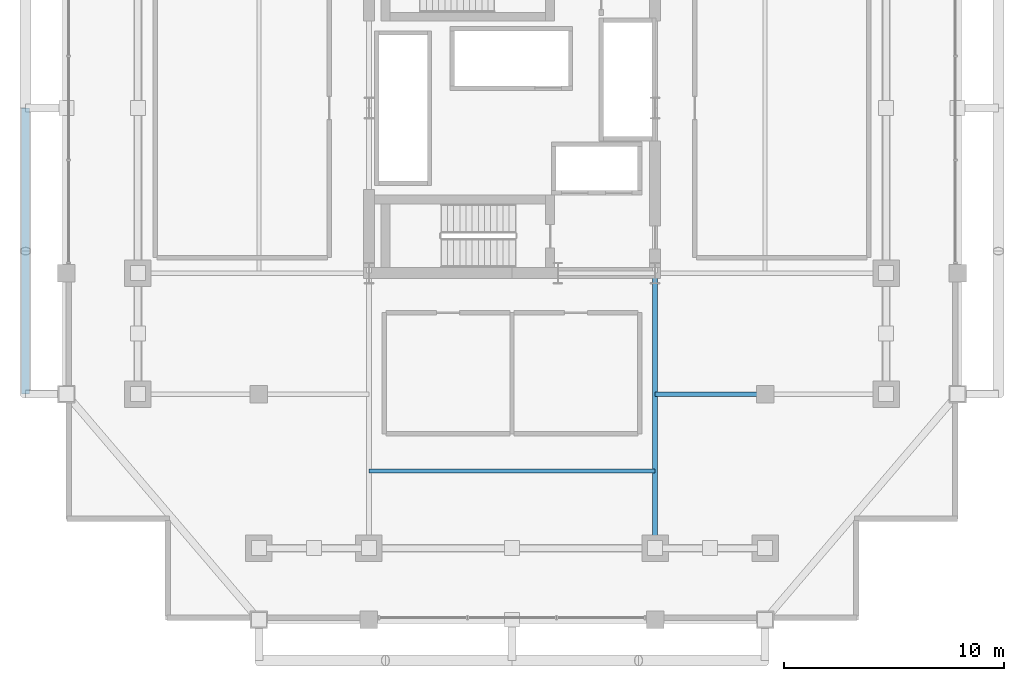
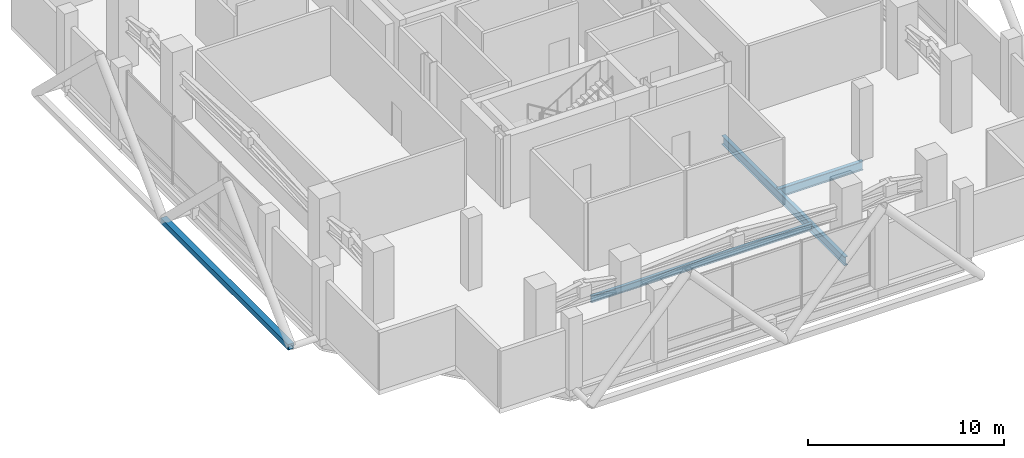
# One storey, part 4 of 22: 3 beams, 1 member.
"""IFC4 building model written with IfcOpenShell, lengths in metres."""

from ifc_helpers import new_model, si_unit, direction, frame, origin, origin_2d, place, context, subcontext, project, spatial, hollow_rectangle, i_section, extrude, material, material_profile, profile_set, type_object, element, save


model = new_model("IFC4")

# Units and contexts
model_context = context("Model", 3, precision=1e-05, world=origin(), true_north=direction((0.0, 1.0)))
body_context = subcontext(model_context, "Body", "Model", "MODEL_VIEW")
ifc_project = project(units=[si_unit("LENGTHUNIT", "METRE"), si_unit("AREAUNIT", "SQUARE_METRE"), si_unit("VOLUMEUNIT", "CUBIC_METRE"), si_unit("PLANEANGLEUNIT", "RADIAN"), si_unit("MASSUNIT", "GRAM", prefix="KILO")], contexts=[model_context])

# Site, building, storey
site_placement = place(None, origin())
site = spatial("IfcSite", under=ifc_project, at=site_placement, CompositionType="ELEMENT")
building_placement = place(site_placement, origin())
building = spatial("IfcBuilding", under=site, at=building_placement, Name="Barlavira Tower and Art Museum", CompositionType="ELEMENT")
storey_placement = place(building_placement, frame((0.0, 0.0, 120.60009765625)))
storey = spatial("IfcBuildingStorey", under=building, at=storey_placement, Name="L30", CompositionType="ELEMENT", Elevation=120.60009765625)

# Member
ifc_material = material(Name="Steel S355", Category="steel")
ifc_material_profile_1 = material_profile(ifc_material, hollow_rectangle(XDim=0.35009765625, YDim=0.35009765625, WallThickness=0.02001953125, at=origin_2d()), Name="SHS 350x350x20.0")
ifc_profile_set_1 = profile_set([ifc_material_profile_1], Name="Steel S355")
member_type = type_object("IfcMemberType", Name="Pale-Metal Exoskeleton Ring Strut SHS 350x350x20 Steel S355", PredefinedType="STRUT", material=ifc_profile_set_1)
member_placement = place(storey_placement, frame((-22.10009765625, -13.0, -0.1201171875), z_axis=(0.0, 1.0, 0.0), x_axis=(-1.0, 0.0, 0.0)))
element("IfcMember", 1, at=member_placement, inside=storey, type_object=member_type, Name="L30 Exoskeleton Ring Strut W", PredefinedType="STRUT", context=body_context, shape_type="SweptSolid", body=[
    extrude(hollow_rectangle(XDim=0.35009765625, YDim=0.35009765625, WallThickness=0.02001953125, at=origin_2d()), origin(), (0.0, 0.0, 1.0), 13.0),
])

# Beams
ifc_material_profile_2 = material_profile(ifc_material, i_section(OverallWidth=0.214111328125, OverallDepth=0.549072265625, WebThickness=0.0146484375, FlangeThickness=0.023681640625, at=origin_2d()), Name="W530x138.0")
ifc_profile_set_2 = profile_set([ifc_material_profile_2], Name="Steel S355")
beam_type_1 = type_object("IfcBeamType", Name="Zone 1 Primary Floor Girder W530x138 Steel S355", PredefinedType="BEAM", material=ifc_profile_set_2)
beam_1_placement = place(storey_placement, frame((6.5, -20.0, -0.57470703125), z_axis=(0.0, 1.0, 0.0), x_axis=(-1.0, 0.0, 0.0)))
element("IfcBeam", 2, at=beam_1_placement, inside=storey, type_object=beam_type_1, Name="L30 Girder R-S2", PredefinedType="BEAM", context=body_context, shape_type="SweptSolid", body=[
    extrude(i_section(OverallWidth=0.214111328125, OverallDepth=0.549072265625, WebThickness=0.0146484375, FlangeThickness=0.023681640625, at=origin_2d()), origin(), (0.0, 0.0, 1.0), 12.5),
])
beam_2_placement = place(storey_placement, frame((6.5, -13.0, -0.57470703125), z_axis=(1.0, 0.0, 0.0), x_axis=(0.0, 1.0, 0.0)))
element("IfcBeam", 3, at=beam_2_placement, inside=storey, type_object=beam_type_1, Name="L30 Girder I-S3", PredefinedType="BEAM", context=body_context, shape_type="SweptSolid", body=[
    extrude(i_section(OverallWidth=0.214111328125, OverallDepth=0.549072265625, WebThickness=0.0146484375, FlangeThickness=0.023681640625, at=origin_2d()), origin(), (0.0, 0.0, 1.0), 5.0),
])
ifc_material_profile_3 = material_profile(ifc_material, i_section(OverallWidth=0.179931640625, OverallDepth=0.4130859375, WebThickness=0.009765625, FlangeThickness=0.01611328125, at=origin_2d()), Name="W410x75.0")
ifc_profile_set_3 = profile_set([ifc_material_profile_3], Name="Steel S355")
beam_type_2 = type_object("IfcBeamType", Name="Zone 2 Composite Floor Joist W410x75 Steel S355", PredefinedType="JOIST", material=ifc_profile_set_3)
beam_3_placement = place(storey_placement, frame((-6.5, -16.5, -0.506591796875), z_axis=(1.0, 0.0, 0.0), x_axis=(0.0, 1.0, 0.0)))
element("IfcBeam", 4, at=beam_3_placement, inside=storey, type_object=beam_type_2, Name="L30 Joist C1", PredefinedType="JOIST", context=body_context, shape_type="SweptSolid", body=[
    extrude(i_section(OverallWidth=0.179931640625, OverallDepth=0.4130859375, WebThickness=0.009765625, FlangeThickness=0.01611328125, at=origin_2d()), origin(), (0.0, 0.0, 1.0), 13.0),
])

save(model, "model.ifc")
